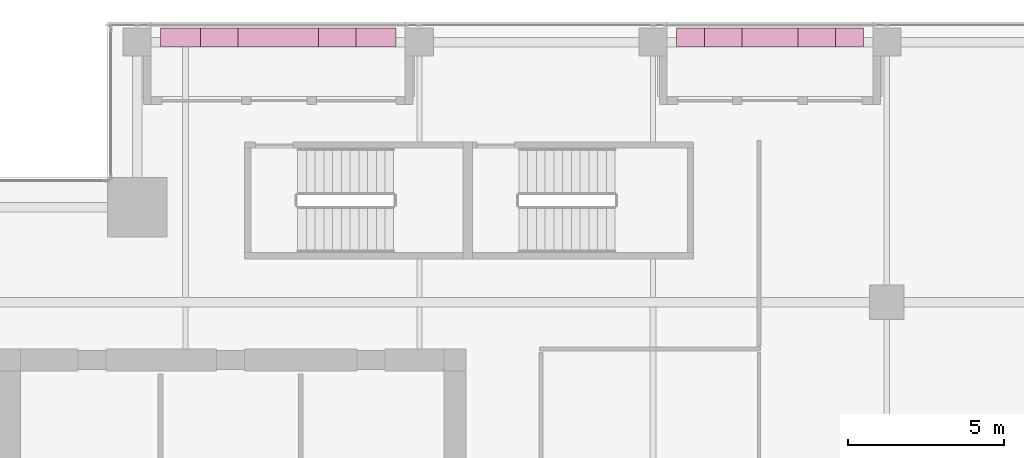
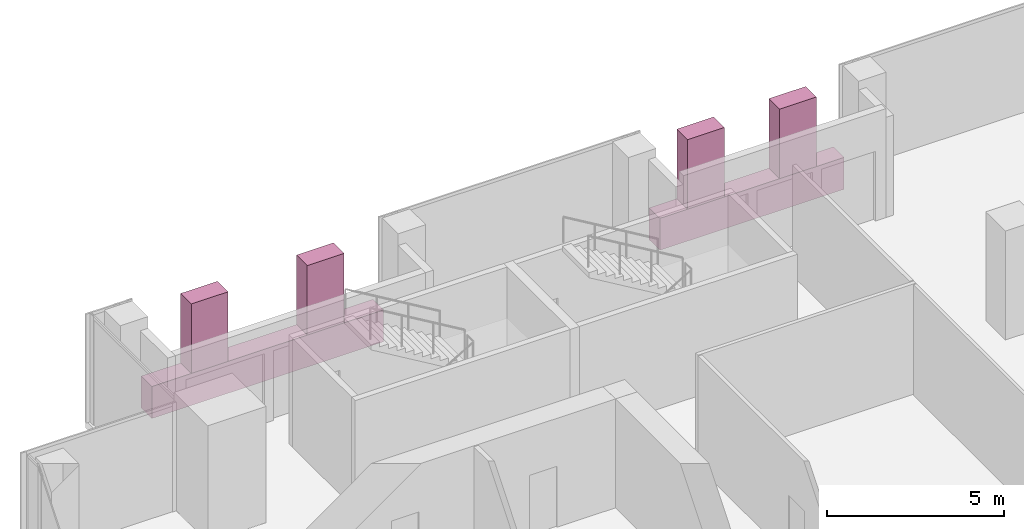
# One storey, part 36 of 36: 6 furnishings.
"""IFC4 building model written with IfcOpenShell, lengths in metres."""

from ifc_helpers import new_model, si_unit, direction, frame, origin, origin_2d, place, context, subcontext, project, spatial, rectangle, extrude, source, transform, mapped, material, type_object, element, save


model = new_model("IFC4")

# Units and contexts
model_context = context("Model", 3, precision=1e-05, world=origin(), true_north=direction((0.0, 1.0)))
body_context = subcontext(model_context, "Body", "Model", "MODEL_VIEW")
ifc_project = project(units=[si_unit("LENGTHUNIT", "METRE"), si_unit("AREAUNIT", "SQUARE_METRE"), si_unit("VOLUMEUNIT", "CUBIC_METRE"), si_unit("PLANEANGLEUNIT", "RADIAN"), si_unit("MASSUNIT", "GRAM", prefix="KILO")], contexts=[model_context])

# Site, building, storey
site_placement = place(None, origin())
site = spatial("IfcSite", under=ifc_project, at=site_placement, CompositionType="ELEMENT")
building_placement = place(site_placement, origin())
building = spatial("IfcBuilding", under=site, at=building_placement, Name="Khomas Fold Tower", CompositionType="ELEMENT")
storey_placement = place(building_placement, frame((0.0, 0.0, 238.199951171875)))
storey = spatial("IfcBuildingStorey", under=building, at=storey_placement, Name="L53", CompositionType="ELEMENT", Elevation=238.199951171875)

# Furnishings
ifc_material_1 = material(Name="Planting")
furnishing_element_type_1 = type_object("IfcFurnishingElementType", Name="BL-Tree Shepherd's tree", material=ifc_material_1)
shared_shape_1 = source(origin(), body_context, "Body", "SweptSolid", [
    extrude(rectangle(XDim=1.199951171875, YDim=0.60009765625, at=origin_2d()), origin(), (0.0, 0.0, 1.0), 2.39501953125),
])
furnishing_1_placement = place(storey_placement, frame((29.25, 49.0, 1.054931640625), z_axis=(0.0, 0.0, 1.0), x_axis=(1.0, 0.0, 0.0)))
element("IfcFurnishingElement", 1, at=furnishing_1_placement, inside=storey, type_object=furnishing_element_type_1, Name="PLANTER (TREE) Shepherd's tree BAL-L53-N3-1", context=body_context, shape_type="MappedRepresentation", body=[
    mapped(shared_shape_1, transform((0.0, 0.0, 0.0))),
])
ifc_material_2 = material(Name="Planting")
furnishing_element_type_2 = type_object("IfcFurnishingElementType", Name="BL-Tree Karee", material=ifc_material_2)
furnishing_2_placement = place(storey_placement, frame((32.25, 49.0, 1.054931640625), z_axis=(0.0, 0.0, 1.0), x_axis=(1.0, 0.0, 0.0)))
element("IfcFurnishingElement", 2, at=furnishing_2_placement, inside=storey, type_object=furnishing_element_type_2, Name="PLANTER (TREE) Karee BAL-L53-N3-2", context=body_context, shape_type="MappedRepresentation", body=[
    mapped(shared_shape_1, transform((0.0, 0.0, 0.0))),
])
furnishing_3_placement = place(storey_placement, frame((13.08740234375, 49.0, 1.054931640625), z_axis=(0.0, 0.0, 1.0), x_axis=(1.0, 0.0, 0.0)))
element("IfcFurnishingElement", 3, at=furnishing_3_placement, inside=storey, type_object=furnishing_element_type_1, Name="PLANTER (TREE) Shepherd's tree BAL-L53-N1-1", context=body_context, shape_type="MappedRepresentation", body=[
    mapped(shared_shape_1, transform((0.0, 0.0, 0.0))),
])
furnishing_4_placement = place(storey_placement, frame((16.862548828125, 49.0, 1.054931640625), z_axis=(0.0, 0.0, 1.0), x_axis=(1.0, 0.0, 0.0)))
element("IfcFurnishingElement", 4, at=furnishing_4_placement, inside=storey, type_object=furnishing_element_type_2, Name="PLANTER (TREE) Karee BAL-L53-N1-2", context=body_context, shape_type="MappedRepresentation", body=[
    mapped(shared_shape_1, transform((0.0, 0.0, 0.0))),
])
ifc_material_3 = material(Name="Precast concrete C40/50", Category="concrete")
furnishing_element_type_3 = type_object("IfcFurnishingElementType", Name="BL-Structural planter box", material=ifc_material_3)
shared_shape_2 = source(origin(), body_context, "Body", "SweptSolid", [
    extrude(rectangle(XDim=7.550048828125, YDim=0.60009765625, at=origin_2d()), origin(), (0.0, 0.0, 1.0), 1.10009765625),
])
furnishing_5_placement = place(storey_placement, frame((14.97509765625, 49.0, -0.044921875), z_axis=(0.0, 0.0, 1.0), x_axis=(1.0, 0.0, 0.0)))
element("IfcFurnishingElement", 5, at=furnishing_5_placement, inside=storey, type_object=furnishing_element_type_3, Name="PLANTER BAL-L53-N1", context=body_context, shape_type="MappedRepresentation", body=[
    mapped(shared_shape_2, transform((0.0, 0.0, 0.0))),
])
shared_shape_3 = source(origin(), body_context, "Body", "SweptSolid", [
    extrude(rectangle(XDim=6.0, YDim=0.60009765625, at=origin_2d()), origin(), (0.0, 0.0, 1.0), 1.10009765625),
])
furnishing_6_placement = place(storey_placement, frame((30.75, 49.0, -0.044921875), z_axis=(0.0, 0.0, 1.0), x_axis=(1.0, 0.0, 0.0)))
element("IfcFurnishingElement", 6, at=furnishing_6_placement, inside=storey, type_object=furnishing_element_type_3, Name="PLANTER BAL-L53-N3", context=body_context, shape_type="MappedRepresentation", body=[
    mapped(shared_shape_3, transform((0.0, 0.0, 0.0))),
])

save(model, "model.ifc")
